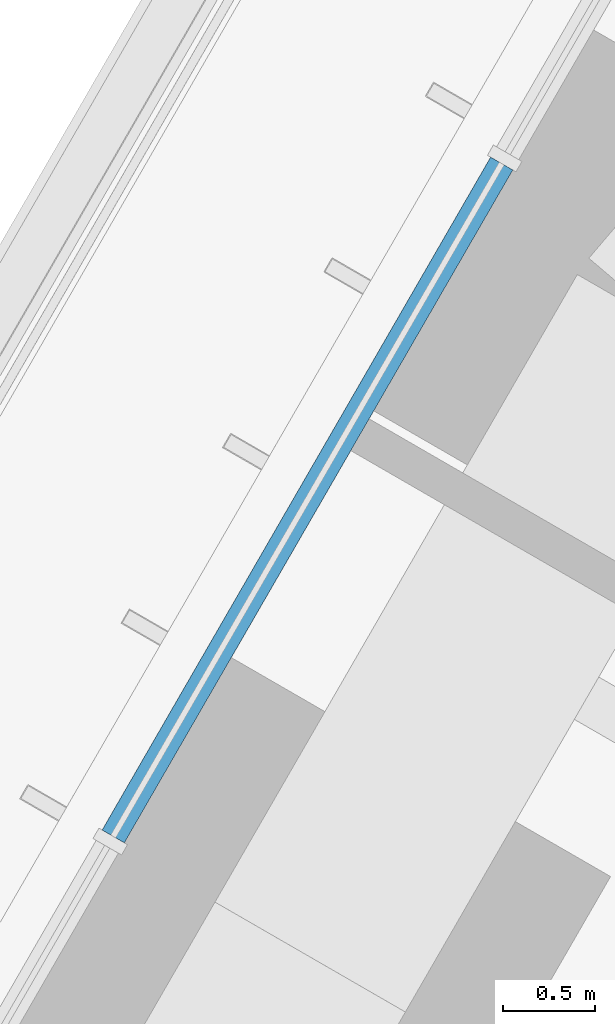
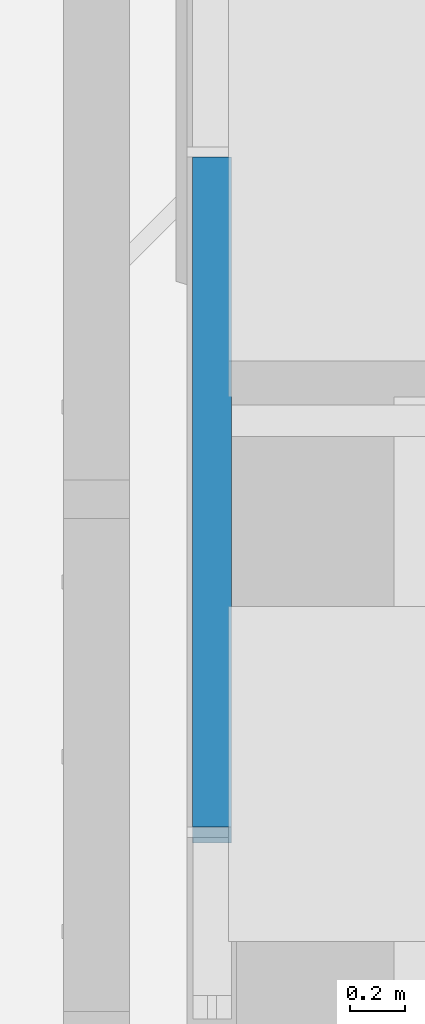
# One storey, part 138 of 238: 1 member, 1 element without a shape of its own.
"""IFC4 building model written with IfcOpenShell, lengths in metres."""

from ifc_helpers import new_model, si_unit, direction, frame, origin, origin_2d, place, context, subcontext, project, spatial, rectangle, extrude, material, material_profile, profile_set, type_object, element, aggregate, save


model = new_model("IFC4")

# Units and contexts
model_context = context("Model", 3, precision=1e-05, world=origin(), true_north=direction((0.0, 1.0)))
body_context = subcontext(model_context, "Body", "Model", "MODEL_VIEW")
ifc_project = project(units=[si_unit("LENGTHUNIT", "METRE"), si_unit("AREAUNIT", "SQUARE_METRE"), si_unit("VOLUMEUNIT", "CUBIC_METRE"), si_unit("PLANEANGLEUNIT", "RADIAN"), si_unit("MASSUNIT", "GRAM", prefix="KILO")], contexts=[model_context])

# Site, building, storey
site_placement = place(None, origin())
site = spatial("IfcSite", under=ifc_project, at=site_placement, CompositionType="ELEMENT")
building_placement = place(site_placement, origin())
building = spatial("IfcBuilding", under=site, at=building_placement, Name="Sandreach Pilgrim Tower", CompositionType="ELEMENT")
storey_placement = place(building_placement, frame((0.0, 0.0, 96.800048828125)))
storey = spatial("IfcBuildingStorey", under=building, at=storey_placement, Name="L23", CompositionType="ELEMENT", Elevation=96.800048828125)

# Curtain wall, member
ifc_material_1 = material(Name="Aluminium framed curtain wall", Category="aluminium")
curtain_wall_type = type_object("IfcCurtainWallType", Name="Hotel tower curtain wall", PredefinedType="NOTDEFINED", material=ifc_material_1)
curtain_wall_placement = place(storey_placement, origin())
curtain_wall = element("IfcCurtainWall", 1, at=curtain_wall_placement, inside=storey, type_object=curtain_wall_type, Name="CW-2 L23 NW", PredefinedType="NOTDEFINED")
ifc_material_2 = material(Name="Aluminium extrusion", Category="aluminium")
ifc_material_profile = material_profile(ifc_material_2, rectangle(XDim=0.139892578125, YDim=0.070068359375, at=origin_2d()), Name="CW-2T 140X70")
ifc_profile_set = profile_set([ifc_material_profile], Name="Aluminium extrusion")
member_type = type_object("IfcMemberType", Name="CW-2 transom", PredefinedType="USERDEFINED", material=ifc_profile_set)
member_placement = place(storey_placement, frame((-24.39892578125, 14.124267578125, 3.60498046875), z_axis=(0.499996541496, 0.866027400544, 0.0), x_axis=(-0.866027400544, 0.499996541496, 0.0)))
member = element("IfcMember", 2, at=member_placement, type_object=member_type, Name="CW-2 head transom 3", ObjectType="TRANSOM", PredefinedType="USERDEFINED", context=body_context, shape_type="SweptSolid", body=[
    extrude(rectangle(XDim=0.139892578125, YDim=0.070068359375, at=origin_2d()), origin(), (0.0, 0.0, 1.0), 4.24072265625),
])
aggregate(curtain_wall, [member])

save(model, "model.ifc")
